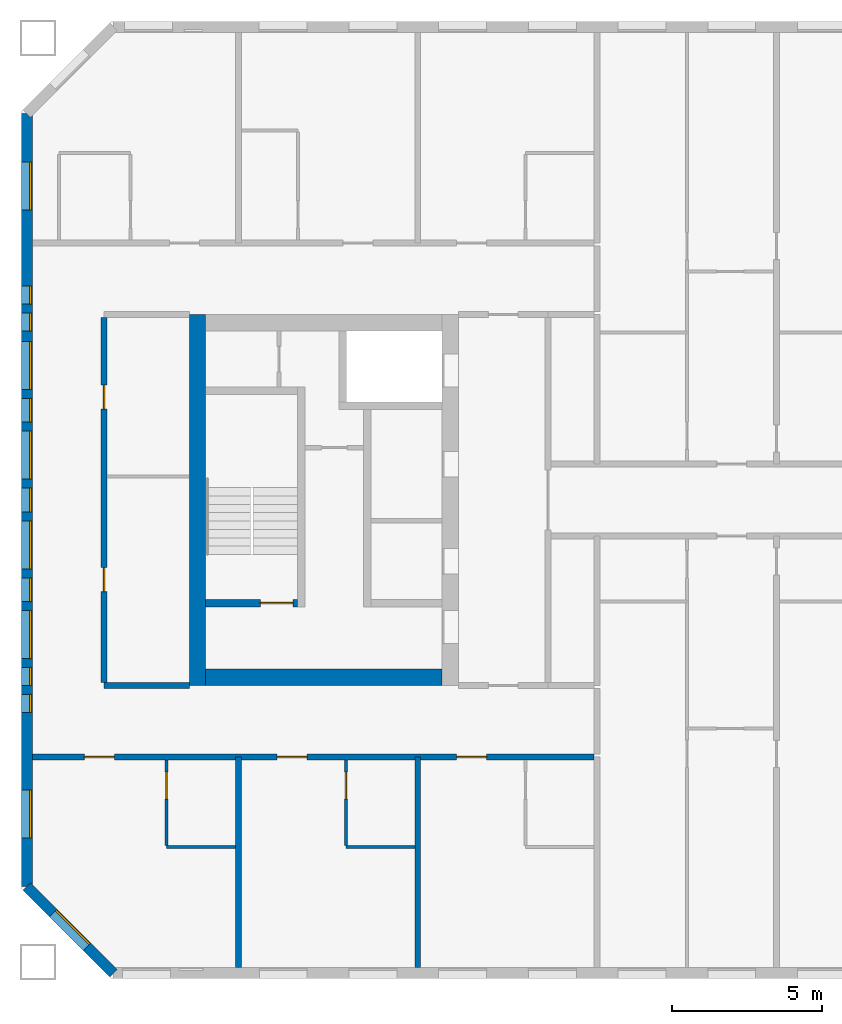
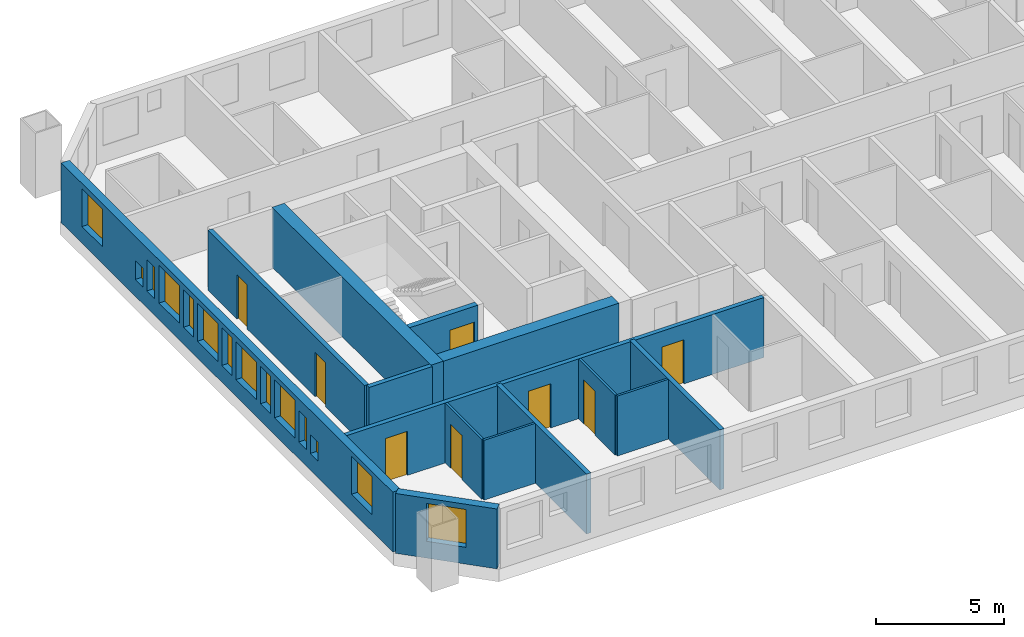
# One storey, part 2 of 17: 14 walls, 14 windows, 8 doors, 22 openings.
"""IFC4 building model written with IfcOpenShell, lengths in metres."""

from ifc_helpers import new_model, si_unit, direction, frame, frame_2d, origin, place, context, subcontext, project, spatial, rectangle, extrude, material, layer, layer_set, type_object, element, fill, save


model = new_model("IFC4")

# Units and contexts
model_context = context("Model", 3, precision=1e-05, world=origin(), true_north=direction((0.0, 1.0)))
body_context = subcontext(model_context, "Body", "Model", "MODEL_VIEW")
ifc_project = project(units=[si_unit("LENGTHUNIT", "METRE"), si_unit("AREAUNIT", "SQUARE_METRE"), si_unit("VOLUMEUNIT", "CUBIC_METRE"), si_unit("PLANEANGLEUNIT", "RADIAN"), si_unit("MASSUNIT", "GRAM", prefix="KILO")], contexts=[model_context])

# Site, building, storey
site_placement = place(None, origin())
site = spatial("IfcSite", under=ifc_project, at=site_placement, CompositionType="ELEMENT")
building_placement = place(site_placement, origin())
building = spatial("IfcBuilding", under=site, at=building_placement, Name="Tuart Gate Housing", CompositionType="ELEMENT")
storey_placement = place(building_placement, frame((0.0, 0.0, 123.699951171875)))
storey = spatial("IfcBuildingStorey", under=building, at=storey_placement, Name="L34", CompositionType="ELEMENT", Elevation=123.699951171875)

# Wall, opening, window
ifc_material_1 = material(Name="Brick", Category="masonry")
ifc_layer_1 = layer(ifc_material_1, 0.360107421875)
ifc_layer_set_1 = layer_set([ifc_layer_1], Name="Brick pier and spandrel wall 360")
wall_type_1 = type_object("IfcWallType", Name="Brick pier and spandrel wall 360", PredefinedType="STANDARD", material=ifc_layer_set_1)
wall_1_placement = place(storey_placement, frame((26.929931640625, 57.07470703125, 0.0), z_axis=(0.0, 0.0, 1.0), x_axis=(0.707106781187, -0.707106781187, 0.0)))
wall_1 = element("IfcWall", 1, at=wall_1_placement, inside=storey, type_object=wall_type_1, Name="External wall A-SW L34", PredefinedType="STANDARD", context=body_context, shape_type="SweptSolid", body=[
    extrude(rectangle(XDim=4.09375, YDim=0.360107421875, at=frame_2d((2.046875, 0.0))), origin(), (0.0, 0.0, 1.0), 2.85009765625),
])
opening_1_placement = place(wall_1_placement, frame((1.2470703125, 0.0, 0.800048828125)))
opening_1 = element("IfcOpeningElement", 2, at=opening_1_placement, cuts=wall_1, Name="Opening W1", PredefinedType="OPENING", context=body_context, shape_type="SweptSolid", body=[
    extrude(rectangle(XDim=1.60009765625, YDim=1.800048828125, at=frame_2d((0.800048828125, 0.89990234375))), frame((0.0, 0.18994140625, 0.0), z_axis=(0.0, -1.0, 0.0), x_axis=(1.0, 0.0, 0.0)), (0.0, 0.0, 1.0), 0.380126953125),
])
ifc_material_2 = material(Name="Aluminium frame with clear glass", Category="aluminium")
window_type_1 = type_object("IfcWindowType", Name="Punched window 1600 x 1800", PartitioningType="SINGLE_PANEL", PredefinedType="WINDOW", material=ifc_material_2)
window_1_placement = place(opening_1_placement, origin())
window_1 = element("IfcWindow", 3, at=window_1_placement, inside=storey, type_object=window_type_1, Name="Window W1", OverallHeight=1.800048828125, OverallWidth=1.60009765625, PartitioningType="SINGLE_PANEL", PredefinedType="WINDOW", context=body_context, shape_type="SweptSolid", body=[
    extrude(rectangle(XDim=1.60009765625, YDim=1.800048828125, at=frame_2d((0.800048828125, 0.89990234375))), frame((0.0, 0.150146484375, 0.0), z_axis=(0.0, -1.0, 0.0), x_axis=(1.0, 0.0, 0.0)), (0.0, 0.0, 1.0), 0.06005859375),
])
fill(opening_1, window_1)

# Wall, openings, windows
wall_2_placement = place(storey_placement, frame((26.929931640625, 82.92529296875, 0.0), z_axis=(0.0, 0.0, 1.0), x_axis=(0.0, -1.0, 0.0)))
wall_2 = element("IfcWall", 4, at=wall_2_placement, inside=storey, type_object=wall_type_1, Name="External wall A-W L34", PredefinedType="STANDARD", context=body_context, shape_type="SweptSolid", body=[
    extrude(rectangle(XDim=25.850830078125, YDim=0.360107421875, at=frame_2d((12.92529296875, 0.0))), origin(), (0.0, 0.0, 1.0), 2.85009765625),
])
opening_2_placement = place(wall_2_placement, frame((1.62548828125, 0.0, 0.800048828125)))
opening_2 = element("IfcOpeningElement", 5, at=opening_2_placement, cuts=wall_2, Name="Opening W1", PredefinedType="OPENING", context=body_context, shape_type="SweptSolid", body=[
    extrude(rectangle(XDim=1.60009765625, YDim=1.800048828125, at=frame_2d((0.800048828125, 0.89990234375))), frame((0.0, 0.18994140625, 0.0), z_axis=(0.0, -1.0, 0.0), x_axis=(1.0, 0.0, 0.0)), (0.0, 0.0, 1.0), 0.380126953125),
])
opening_3_placement = place(wall_2_placement, frame((5.775390625, 0.0, 0.800048828125)))
opening_3 = element("IfcOpeningElement", 6, at=opening_3_placement, cuts=wall_2, Name="Opening W1W", PredefinedType="OPENING", context=body_context, shape_type="SweptSolid", body=[
    extrude(rectangle(XDim=0.60009765625, YDim=0.89990234375, at=frame_2d((0.300048828125, 0.449951171875))), frame((0.0, 0.18994140625, 0.0), z_axis=(0.0, -1.0, 0.0), x_axis=(1.0, 0.0, 0.0)), (0.0, 0.0, 1.0), 0.380126953125),
])
opening_4_placement = place(wall_2_placement, frame((7.62548828125, 0.0, 0.800048828125)))
opening_4 = element("IfcOpeningElement", 7, at=opening_4_placement, cuts=wall_2, Name="Opening W1", PredefinedType="OPENING", context=body_context, shape_type="SweptSolid", body=[
    extrude(rectangle(XDim=1.60009765625, YDim=1.800048828125, at=frame_2d((0.800048828125, 0.89990234375))), frame((0.0, 0.18994140625, 0.0), z_axis=(0.0, -1.0, 0.0), x_axis=(1.0, 0.0, 0.0)), (0.0, 0.0, 1.0), 0.380126953125),
])
opening_5_placement = place(wall_2_placement, frame((10.62548828125, 0.0, 0.800048828125)))
opening_5 = element("IfcOpeningElement", 8, at=opening_5_placement, cuts=wall_2, Name="Opening W1", PredefinedType="OPENING", context=body_context, shape_type="SweptSolid", body=[
    extrude(rectangle(XDim=1.60009765625, YDim=1.800048828125, at=frame_2d((0.800048828125, 0.89990234375))), frame((0.0, 0.18994140625, 0.0), z_axis=(0.0, -1.0, 0.0), x_axis=(1.0, 0.0, 0.0)), (0.0, 0.0, 1.0), 0.380126953125),
])
opening_6_placement = place(wall_2_placement, frame((13.62548828125, 0.0, 0.800048828125)))
opening_6 = element("IfcOpeningElement", 9, at=opening_6_placement, cuts=wall_2, Name="Opening W1", PredefinedType="OPENING", context=body_context, shape_type="SweptSolid", body=[
    extrude(rectangle(XDim=1.60009765625, YDim=1.800048828125, at=frame_2d((0.800048828125, 0.89990234375))), frame((0.0, 0.18994140625, 0.0), z_axis=(0.0, -1.0, 0.0), x_axis=(1.0, 0.0, 0.0)), (0.0, 0.0, 1.0), 0.380126953125),
])
opening_7_placement = place(wall_2_placement, frame((16.62548828125, 0.0, 0.800048828125)))
opening_7 = element("IfcOpeningElement", 10, at=opening_7_placement, cuts=wall_2, Name="Opening W1", PredefinedType="OPENING", context=body_context, shape_type="SweptSolid", body=[
    extrude(rectangle(XDim=1.60009765625, YDim=1.800048828125, at=frame_2d((0.800048828125, 0.89990234375))), frame((0.0, 0.18994140625, 0.0), z_axis=(0.0, -1.0, 0.0), x_axis=(1.0, 0.0, 0.0)), (0.0, 0.0, 1.0), 0.380126953125),
])
opening_8_placement = place(wall_2_placement, frame((6.67529296875, 0.0, 0.800048828125)))
opening_8 = element("IfcOpeningElement", 11, at=opening_8_placement, cuts=wall_2, Name="Opening W1K", PredefinedType="OPENING", context=body_context, shape_type="SweptSolid", body=[
    extrude(rectangle(XDim=0.60009765625, YDim=1.5, at=frame_2d((0.300048828125, 0.75))), frame((0.0, 0.18994140625, 0.0), z_axis=(0.0, -1.0, 0.0), x_axis=(1.0, 0.0, 0.0)), (0.0, 0.0, 1.0), 0.380126953125),
])
opening_9_placement = place(wall_2_placement, frame((22.62548828125, 0.0, 0.800048828125)))
opening_9 = element("IfcOpeningElement", 12, at=opening_9_placement, cuts=wall_2, Name="Opening W1", PredefinedType="OPENING", context=body_context, shape_type="SweptSolid", body=[
    extrude(rectangle(XDim=1.60009765625, YDim=1.800048828125, at=frame_2d((0.800048828125, 0.89990234375))), frame((0.0, 0.18994140625, 0.0), z_axis=(0.0, -1.0, 0.0), x_axis=(1.0, 0.0, 0.0)), (0.0, 0.0, 1.0), 0.380126953125),
])
opening_10_placement = place(wall_2_placement, frame((9.525390625, 0.0, 0.800048828125)))
opening_10 = element("IfcOpeningElement", 13, at=opening_10_placement, cuts=wall_2, Name="Opening W1D", PredefinedType="OPENING", context=body_context, shape_type="SweptSolid", body=[
    extrude(rectangle(XDim=0.800048828125, YDim=1.800048828125, at=frame_2d((0.39990234375, 0.89990234375))), frame((0.0, 0.18994140625, 0.0), z_axis=(0.0, -1.0, 0.0), x_axis=(1.0, 0.0, 0.0)), (0.0, 0.0, 1.0), 0.380126953125),
])
opening_11_placement = place(wall_2_placement, frame((12.525390625, 0.0, 0.800048828125)))
opening_11 = element("IfcOpeningElement", 14, at=opening_11_placement, cuts=wall_2, Name="Opening W1D", PredefinedType="OPENING", context=body_context, shape_type="SweptSolid", body=[
    extrude(rectangle(XDim=0.800048828125, YDim=1.800048828125, at=frame_2d((0.39990234375, 0.89990234375))), frame((0.0, 0.18994140625, 0.0), z_axis=(0.0, -1.0, 0.0), x_axis=(1.0, 0.0, 0.0)), (0.0, 0.0, 1.0), 0.380126953125),
])
opening_12_placement = place(wall_2_placement, frame((15.525390625, 0.0, 0.800048828125)))
opening_12 = element("IfcOpeningElement", 15, at=opening_12_placement, cuts=wall_2, Name="Opening W1D", PredefinedType="OPENING", context=body_context, shape_type="SweptSolid", body=[
    extrude(rectangle(XDim=0.800048828125, YDim=1.800048828125, at=frame_2d((0.39990234375, 0.89990234375))), frame((0.0, 0.18994140625, 0.0), z_axis=(0.0, -1.0, 0.0), x_axis=(1.0, 0.0, 0.0)), (0.0, 0.0, 1.0), 0.380126953125),
])
opening_13_placement = place(wall_2_placement, frame((18.525390625, 0.0, 0.800048828125)))
opening_13 = element("IfcOpeningElement", 16, at=opening_13_placement, cuts=wall_2, Name="Opening W1K", PredefinedType="OPENING", context=body_context, shape_type="SweptSolid", body=[
    extrude(rectangle(XDim=0.60009765625, YDim=1.5, at=frame_2d((0.300048828125, 0.75))), frame((0.0, 0.18994140625, 0.0), z_axis=(0.0, -1.0, 0.0), x_axis=(1.0, 0.0, 0.0)), (0.0, 0.0, 1.0), 0.380126953125),
])
opening_14_placement = place(wall_2_placement, frame((19.42529296875, 0.0, 0.800048828125)))
opening_14 = element("IfcOpeningElement", 17, at=opening_14_placement, cuts=wall_2, Name="Opening W1W", PredefinedType="OPENING", context=body_context, shape_type="SweptSolid", body=[
    extrude(rectangle(XDim=0.60009765625, YDim=0.89990234375, at=frame_2d((0.300048828125, 0.449951171875))), frame((0.0, 0.18994140625, 0.0), z_axis=(0.0, -1.0, 0.0), x_axis=(1.0, 0.0, 0.0)), (0.0, 0.0, 1.0), 0.380126953125),
])
window_2_placement = place(opening_2_placement, origin())
window_2 = element("IfcWindow", 18, at=window_2_placement, inside=storey, type_object=window_type_1, Name="Window W1", OverallHeight=1.800048828125, OverallWidth=1.60009765625, PartitioningType="SINGLE_PANEL", PredefinedType="WINDOW", context=body_context, shape_type="SweptSolid", body=[
    extrude(rectangle(XDim=1.60009765625, YDim=1.800048828125, at=frame_2d((0.800048828125, 0.89990234375))), frame((0.0, 0.150146484375, 0.0), z_axis=(0.0, -1.0, 0.0), x_axis=(1.0, 0.0, 0.0)), (0.0, 0.0, 1.0), 0.06005859375),
])
fill(opening_2, window_2)
window_3_placement = place(opening_4_placement, origin())
window_3 = element("IfcWindow", 19, at=window_3_placement, inside=storey, type_object=window_type_1, Name="Window W1", OverallHeight=1.800048828125, OverallWidth=1.60009765625, PartitioningType="SINGLE_PANEL", PredefinedType="WINDOW", context=body_context, shape_type="SweptSolid", body=[
    extrude(rectangle(XDim=1.60009765625, YDim=1.800048828125, at=frame_2d((0.800048828125, 0.89990234375))), frame((0.0, 0.150146484375, 0.0), z_axis=(0.0, -1.0, 0.0), x_axis=(1.0, 0.0, 0.0)), (0.0, 0.0, 1.0), 0.06005859375),
])
fill(opening_4, window_3)
window_4_placement = place(opening_5_placement, origin())
window_4 = element("IfcWindow", 20, at=window_4_placement, inside=storey, type_object=window_type_1, Name="Window W1", OverallHeight=1.800048828125, OverallWidth=1.60009765625, PartitioningType="SINGLE_PANEL", PredefinedType="WINDOW", context=body_context, shape_type="SweptSolid", body=[
    extrude(rectangle(XDim=1.60009765625, YDim=1.800048828125, at=frame_2d((0.800048828125, 0.89990234375))), frame((0.0, 0.150146484375, 0.0), z_axis=(0.0, -1.0, 0.0), x_axis=(1.0, 0.0, 0.0)), (0.0, 0.0, 1.0), 0.06005859375),
])
fill(opening_5, window_4)
window_5_placement = place(opening_6_placement, origin())
window_5 = element("IfcWindow", 21, at=window_5_placement, inside=storey, type_object=window_type_1, Name="Window W1", OverallHeight=1.800048828125, OverallWidth=1.60009765625, PartitioningType="SINGLE_PANEL", PredefinedType="WINDOW", context=body_context, shape_type="SweptSolid", body=[
    extrude(rectangle(XDim=1.60009765625, YDim=1.800048828125, at=frame_2d((0.800048828125, 0.89990234375))), frame((0.0, 0.150146484375, 0.0), z_axis=(0.0, -1.0, 0.0), x_axis=(1.0, 0.0, 0.0)), (0.0, 0.0, 1.0), 0.06005859375),
])
fill(opening_6, window_5)
window_6_placement = place(opening_7_placement, origin())
window_6 = element("IfcWindow", 22, at=window_6_placement, inside=storey, type_object=window_type_1, Name="Window W1", OverallHeight=1.800048828125, OverallWidth=1.60009765625, PartitioningType="SINGLE_PANEL", PredefinedType="WINDOW", context=body_context, shape_type="SweptSolid", body=[
    extrude(rectangle(XDim=1.60009765625, YDim=1.800048828125, at=frame_2d((0.800048828125, 0.89990234375))), frame((0.0, 0.150146484375, 0.0), z_axis=(0.0, -1.0, 0.0), x_axis=(1.0, 0.0, 0.0)), (0.0, 0.0, 1.0), 0.06005859375),
])
fill(opening_7, window_6)
window_7_placement = place(opening_9_placement, origin())
window_7 = element("IfcWindow", 23, at=window_7_placement, inside=storey, type_object=window_type_1, Name="Window W1", OverallHeight=1.800048828125, OverallWidth=1.60009765625, PartitioningType="SINGLE_PANEL", PredefinedType="WINDOW", context=body_context, shape_type="SweptSolid", body=[
    extrude(rectangle(XDim=1.60009765625, YDim=1.800048828125, at=frame_2d((0.800048828125, 0.89990234375))), frame((0.0, 0.150146484375, 0.0), z_axis=(0.0, -1.0, 0.0), x_axis=(1.0, 0.0, 0.0)), (0.0, 0.0, 1.0), 0.06005859375),
])
fill(opening_9, window_7)
ifc_material_3 = material(Name="Aluminium frame with clear glass", Category="aluminium")
window_type_2 = type_object("IfcWindowType", Name="Punched window 600 x 1500", PartitioningType="SINGLE_PANEL", PredefinedType="WINDOW", material=ifc_material_3)
window_8_placement = place(opening_8_placement, origin())
window_8 = element("IfcWindow", 24, at=window_8_placement, inside=storey, type_object=window_type_2, Name="Window W1K", OverallHeight=1.5, OverallWidth=0.60009765625, PartitioningType="SINGLE_PANEL", PredefinedType="WINDOW", context=body_context, shape_type="SweptSolid", body=[
    extrude(rectangle(XDim=0.60009765625, YDim=1.5, at=frame_2d((0.300048828125, 0.75))), frame((0.0, 0.150146484375, 0.0), z_axis=(0.0, -1.0, 0.0), x_axis=(1.0, 0.0, 0.0)), (0.0, 0.0, 1.0), 0.06005859375),
])
fill(opening_8, window_8)
window_9_placement = place(opening_13_placement, origin())
window_9 = element("IfcWindow", 25, at=window_9_placement, inside=storey, type_object=window_type_2, Name="Window W1K", OverallHeight=1.5, OverallWidth=0.60009765625, PartitioningType="SINGLE_PANEL", PredefinedType="WINDOW", context=body_context, shape_type="SweptSolid", body=[
    extrude(rectangle(XDim=0.60009765625, YDim=1.5, at=frame_2d((0.300048828125, 0.75))), frame((0.0, 0.150146484375, 0.0), z_axis=(0.0, -1.0, 0.0), x_axis=(1.0, 0.0, 0.0)), (0.0, 0.0, 1.0), 0.06005859375),
])
fill(opening_13, window_9)
ifc_material_4 = material(Name="Aluminium frame with clear glass", Category="aluminium")
window_type_3 = type_object("IfcWindowType", Name="Punched window 600 x 900", PartitioningType="SINGLE_PANEL", PredefinedType="WINDOW", material=ifc_material_4)
window_10_placement = place(opening_3_placement, origin())
window_10 = element("IfcWindow", 26, at=window_10_placement, inside=storey, type_object=window_type_3, Name="Window W1W", OverallHeight=0.89990234375, OverallWidth=0.60009765625, PartitioningType="SINGLE_PANEL", PredefinedType="WINDOW", context=body_context, shape_type="SweptSolid", body=[
    extrude(rectangle(XDim=0.60009765625, YDim=0.89990234375, at=frame_2d((0.300048828125, 0.449951171875))), frame((0.0, 0.150146484375, 0.0), z_axis=(0.0, -1.0, 0.0), x_axis=(1.0, 0.0, 0.0)), (0.0, 0.0, 1.0), 0.06005859375),
])
fill(opening_3, window_10)
window_11_placement = place(opening_14_placement, origin())
window_11 = element("IfcWindow", 27, at=window_11_placement, inside=storey, type_object=window_type_3, Name="Window W1W", OverallHeight=0.89990234375, OverallWidth=0.60009765625, PartitioningType="SINGLE_PANEL", PredefinedType="WINDOW", context=body_context, shape_type="SweptSolid", body=[
    extrude(rectangle(XDim=0.60009765625, YDim=0.89990234375, at=frame_2d((0.300048828125, 0.449951171875))), frame((0.0, 0.150146484375, 0.0), z_axis=(0.0, -1.0, 0.0), x_axis=(1.0, 0.0, 0.0)), (0.0, 0.0, 1.0), 0.06005859375),
])
fill(opening_14, window_11)
ifc_material_5 = material(Name="Aluminium frame with clear glass", Category="aluminium")
window_type_4 = type_object("IfcWindowType", Name="Punched window 800 x 1800", PartitioningType="SINGLE_PANEL", PredefinedType="WINDOW", material=ifc_material_5)
window_12_placement = place(opening_10_placement, origin())
window_12 = element("IfcWindow", 28, at=window_12_placement, inside=storey, type_object=window_type_4, Name="Window W1D", OverallHeight=1.800048828125, OverallWidth=0.800048828125, PartitioningType="SINGLE_PANEL", PredefinedType="WINDOW", context=body_context, shape_type="SweptSolid", body=[
    extrude(rectangle(XDim=0.800048828125, YDim=1.800048828125, at=frame_2d((0.39990234375, 0.89990234375))), frame((0.0, 0.150146484375, 0.0), z_axis=(0.0, -1.0, 0.0), x_axis=(1.0, 0.0, 0.0)), (0.0, 0.0, 1.0), 0.06005859375),
])
fill(opening_10, window_12)
window_13_placement = place(opening_11_placement, origin())
window_13 = element("IfcWindow", 29, at=window_13_placement, inside=storey, type_object=window_type_4, Name="Window W1D", OverallHeight=1.800048828125, OverallWidth=0.800048828125, PartitioningType="SINGLE_PANEL", PredefinedType="WINDOW", context=body_context, shape_type="SweptSolid", body=[
    extrude(rectangle(XDim=0.800048828125, YDim=1.800048828125, at=frame_2d((0.39990234375, 0.89990234375))), frame((0.0, 0.150146484375, 0.0), z_axis=(0.0, -1.0, 0.0), x_axis=(1.0, 0.0, 0.0)), (0.0, 0.0, 1.0), 0.06005859375),
])
fill(opening_11, window_13)
window_14_placement = place(opening_12_placement, origin())
window_14 = element("IfcWindow", 30, at=window_14_placement, inside=storey, type_object=window_type_4, Name="Window W1D", OverallHeight=1.800048828125, OverallWidth=0.800048828125, PartitioningType="SINGLE_PANEL", PredefinedType="WINDOW", context=body_context, shape_type="SweptSolid", body=[
    extrude(rectangle(XDim=0.800048828125, YDim=1.800048828125, at=frame_2d((0.39990234375, 0.89990234375))), frame((0.0, 0.150146484375, 0.0), z_axis=(0.0, -1.0, 0.0), x_axis=(1.0, 0.0, 0.0)), (0.0, 0.0, 1.0), 0.06005859375),
])
fill(opening_12, window_14)

# Wall, opening, door
ifc_material_6 = material(Name="Concrete C50", Category="concrete")
ifc_layer_2 = layer(ifc_material_6, 0.25)
ifc_layer_set_2 = layer_set([ifc_layer_2], Name="Core wall 250 C50")
wall_type_2 = type_object("IfcWallType", Name="Core wall 250 C50", PredefinedType="SHEAR", material=ifc_layer_set_2)
wall_3_placement = place(storey_placement, frame((35.985107421875, 66.550048828125, 0.0), z_axis=(0.0, 0.0, 1.0), x_axis=(-1.0, 0.0, 0.0)))
wall_3 = element("IfcWall", 31, at=wall_3_placement, inside=storey, type_object=wall_type_2, Name="Core wall AK.6", PredefinedType="SHEAR", context=body_context, shape_type="SweptSolid", body=[
    extrude(rectangle(XDim=3.0751953125, YDim=0.25, at=frame_2d((1.53759765625, 0.0))), origin(), (0.0, 0.0, 1.0), 2.85009765625),
])
opening_15_placement = place(wall_3_placement, frame((0.14990234375, 0.0, 0.0)))
opening_15 = element("IfcOpeningElement", 32, at=opening_15_placement, cuts=wall_3, Name="Opening D1328", PredefinedType="OPENING", context=body_context, shape_type="SweptSolid", body=[
    extrude(rectangle(XDim=1.10009765625, YDim=2.10009765625, at=frame_2d((0.550048828125, 1.050048828125))), frame((0.0, 0.135009765625, 0.0), z_axis=(0.0, -1.0, 0.0), x_axis=(1.0, 0.0, 0.0)), (0.0, 0.0, 1.0), 0.27001953125),
])
ifc_material_7 = material(Name="Steel fire door", Category="steel")
door_type_1 = type_object("IfcDoorType", Name="Stair door 1100 x 2100 RH", OperationType="SINGLE_SWING_RIGHT", PredefinedType="DOOR", material=ifc_material_7)
door_1_placement = place(opening_15_placement, frame((1.10009765625, 0.0, 0.0), z_axis=(0.0, 0.0, 1.0), x_axis=(-1.0, 0.0, 0.0)))
door_1 = element("IfcDoor", 33, at=door_1_placement, inside=storey, type_object=door_type_1, Name="Stair door AK.SD", OperationType="SINGLE_SWING_RIGHT", OverallHeight=2.10009765625, OverallWidth=1.10009765625, PredefinedType="DOOR", context=body_context, shape_type="SweptSolid", body=[
    extrude(rectangle(XDim=1.10009765625, YDim=2.10009765625, at=frame_2d((0.550048828125, 1.050048828125))), frame((0.0, 0.025146484375, 0.0), z_axis=(0.0, -1.0, 0.0), x_axis=(1.0, 0.0, 0.0)), (0.0, 0.0, 1.0), 0.050048828125),
])
fill(opening_15, door_1)

# Walls
ifc_material_8 = material(Name="Concrete C50", Category="concrete")
ifc_layer_3 = layer(ifc_material_8, 0.550048828125)
ifc_layer_set_3 = layer_set([ifc_layer_3], Name="Core wall 550 C50")
wall_type_3 = type_object("IfcWallType", Name="Core wall 550 C50", PredefinedType="SHEAR", material=ifc_layer_set_3)
wall_4_placement = place(storey_placement, frame((32.635009765625, 76.199951171875, 0.0), z_axis=(0.0, 0.0, 1.0), x_axis=(0.0, -1.0, 0.0)))
element("IfcWall", 34, at=wall_4_placement, inside=storey, type_object=wall_type_3, Name="Core wall AK back", PredefinedType="SHEAR", context=body_context, shape_type="SweptSolid", body=[
    extrude(rectangle(XDim=12.39990234375, YDim=0.550048828125, at=frame_2d((6.199951171875, 0.0))), origin(), (0.0, 0.0, 1.0), 2.85009765625),
])
wall_5_placement = place(storey_placement, frame((40.81005859375, 64.074951171875, 0.0), z_axis=(0.0, 0.0, 1.0), x_axis=(-1.0, 0.0, 0.0)))
element("IfcWall", 35, at=wall_5_placement, inside=storey, type_object=wall_type_3, Name="Core wall AK north", PredefinedType="SHEAR", context=body_context, shape_type="SweptSolid", body=[
    extrude(rectangle(XDim=7.900146484375, YDim=0.550048828125, at=frame_2d((3.9501953125, 0.0))), origin(), (0.0, 0.0, 1.0), 2.85009765625),
])

# Wall, openings, doors
ifc_material_9 = material(Name="Concrete masonry 15 MPa", Category="masonry")
ifc_layer_4 = layer(ifc_material_9, 0.199951171875)
ifc_layer_set_4 = layer_set([ifc_layer_4], Name="Corridor wall masonry 200")
wall_type_4 = type_object("IfcWallType", Name="Corridor wall masonry 200", PredefinedType="PARTITIONING", material=ifc_layer_set_4)
wall_6_placement = place(storey_placement, frame((27.110107421875, 61.39990234375, 0.0), z_axis=(0.0, 0.0, 1.0), x_axis=(1.0, 0.0, 0.0)))
wall_6 = element("IfcWall", 36, at=wall_6_placement, inside=storey, type_object=wall_type_4, Name="Corridor wall masonry 200", PredefinedType="PARTITIONING", context=body_context, shape_type="SweptSolid", body=[
    extrude(rectangle(XDim=18.789794921875, YDim=0.199951171875, at=frame_2d((9.39501953125, 0.0))), origin(), (0.0, 0.0, 1.0), 2.85009765625),
])
opening_16_placement = place(wall_6_placement, frame((14.18994140625, 0.0, 0.0)))
opening_16 = element("IfcOpeningElement", 37, at=opening_16_placement, cuts=wall_6, Name="Opening D1340", PredefinedType="OPENING", context=body_context, shape_type="SweptSolid", body=[
    extrude(rectangle(XDim=1.0, YDim=2.10009765625, at=frame_2d((0.5, 1.050048828125))), frame((0.0, 0.10986328125, 0.0), z_axis=(0.0, -1.0, 0.0), x_axis=(1.0, 0.0, 0.0)), (0.0, 0.0, 1.0), 0.219970703125),
])
opening_17_placement = place(wall_6_placement, frame((8.18994140625, 0.0, 0.0)))
opening_17 = element("IfcOpeningElement", 38, at=opening_17_placement, cuts=wall_6, Name="Opening D1341", PredefinedType="OPENING", context=body_context, shape_type="SweptSolid", body=[
    extrude(rectangle(XDim=1.0, YDim=2.10009765625, at=frame_2d((0.5, 1.050048828125))), frame((0.0, 0.10986328125, 0.0), z_axis=(0.0, -1.0, 0.0), x_axis=(1.0, 0.0, 0.0)), (0.0, 0.0, 1.0), 0.219970703125),
])
opening_18_placement = place(wall_6_placement, frame((1.7451171875, 0.0, 0.0)))
opening_18 = element("IfcOpeningElement", 39, at=opening_18_placement, cuts=wall_6, Name="Opening D1342", PredefinedType="OPENING", context=body_context, shape_type="SweptSolid", body=[
    extrude(rectangle(XDim=1.0, YDim=2.10009765625, at=frame_2d((0.5, 1.050048828125))), frame((0.0, 0.10986328125, 0.0), z_axis=(0.0, -1.0, 0.0), x_axis=(1.0, 0.0, 0.0)), (0.0, 0.0, 1.0), 0.219970703125),
])
ifc_material_10 = material(Name="Timber door leaf in steel frame", Category="steel")
door_type_2 = type_object("IfcDoorType", Name="Flat entrance door 1000 RH", OperationType="SINGLE_SWING_RIGHT", PredefinedType="DOOR", material=ifc_material_10)
door_2_placement = place(opening_16_placement, frame((1.0, 0.0, 0.0), z_axis=(0.0, 0.0, 1.0), x_axis=(-1.0, 0.0, 0.0)))
door_2 = element("IfcDoor", 40, at=door_2_placement, inside=storey, type_object=door_type_2, Name="Flat entrance door", OperationType="SINGLE_SWING_RIGHT", OverallHeight=2.10009765625, OverallWidth=1.0, PredefinedType="DOOR", context=body_context, shape_type="SweptSolid", body=[
    extrude(rectangle(XDim=1.0, YDim=2.10009765625, at=frame_2d((0.5, 1.050048828125))), frame((0.0, 0.025146484375, 0.0), z_axis=(0.0, -1.0, 0.0), x_axis=(1.0, 0.0, 0.0)), (0.0, 0.0, 1.0), 0.050048828125),
])
fill(opening_16, door_2)
door_3_placement = place(opening_17_placement, frame((1.0, 0.0, 0.0), z_axis=(0.0, 0.0, 1.0), x_axis=(-1.0, 0.0, 0.0)))
door_3 = element("IfcDoor", 41, at=door_3_placement, inside=storey, type_object=door_type_2, Name="Flat entrance door", OperationType="SINGLE_SWING_RIGHT", OverallHeight=2.10009765625, OverallWidth=1.0, PredefinedType="DOOR", context=body_context, shape_type="SweptSolid", body=[
    extrude(rectangle(XDim=1.0, YDim=2.10009765625, at=frame_2d((0.5, 1.050048828125))), frame((0.0, 0.025146484375, 0.0), z_axis=(0.0, -1.0, 0.0), x_axis=(1.0, 0.0, 0.0)), (0.0, 0.0, 1.0), 0.050048828125),
])
fill(opening_17, door_3)
door_4_placement = place(opening_18_placement, frame((1.0, 0.0, 0.0), z_axis=(0.0, 0.0, 1.0), x_axis=(-1.0, 0.0, 0.0)))
door_4 = element("IfcDoor", 42, at=door_4_placement, inside=storey, type_object=door_type_2, Name="Flat entrance door", OperationType="SINGLE_SWING_RIGHT", OverallHeight=2.10009765625, OverallWidth=1.0, PredefinedType="DOOR", context=body_context, shape_type="SweptSolid", body=[
    extrude(rectangle(XDim=1.0, YDim=2.10009765625, at=frame_2d((0.5, 1.050048828125))), frame((0.0, 0.025146484375, 0.0), z_axis=(0.0, -1.0, 0.0), x_axis=(1.0, 0.0, 0.0)), (0.0, 0.0, 1.0), 0.050048828125),
])
fill(opening_18, door_4)

# Wall
wall_7_placement = place(storey_placement, frame((29.510009765625, 63.800048828125, 0.0), z_axis=(0.0, 0.0, 1.0), x_axis=(1.0, 0.0, 0.0)))
element("IfcWall", 43, at=wall_7_placement, inside=storey, type_object=wall_type_4, Name="Corridor wall masonry 200", PredefinedType="PARTITIONING", context=body_context, shape_type="SweptSolid", body=[
    extrude(rectangle(XDim=2.85009765625, YDim=0.199951171875, at=frame_2d((1.425048828125, 0.0))), origin(), (0.0, 0.0, 1.0), 2.85009765625),
])

# Wall, openings, doors
wall_8_placement = place(storey_placement, frame((29.510009765625, 63.89990234375, 0.0), z_axis=(0.0, 0.0, 1.0), x_axis=(0.0, 1.0, 0.0)))
wall_8 = element("IfcWall", 44, at=wall_8_placement, inside=storey, type_object=wall_type_4, Name="Corridor wall masonry 200", PredefinedType="PARTITIONING", context=body_context, shape_type="SweptSolid", body=[
    extrude(rectangle(XDim=12.2001953125, YDim=0.199951171875, at=frame_2d((6.10009765625, 0.0))), origin(), (0.0, 0.0, 1.0), 2.85009765625),
])
opening_19_placement = place(wall_8_placement, frame((3.0400390625, 0.0, 0.0)))
opening_19 = element("IfcOpeningElement", 45, at=opening_19_placement, cuts=wall_8, Name="Opening D1317", PredefinedType="OPENING", context=body_context, shape_type="SweptSolid", body=[
    extrude(rectangle(XDim=0.800048828125, YDim=2.10009765625, at=frame_2d((0.39990234375, 1.050048828125))), frame((0.0, 0.10986328125, 0.0), z_axis=(0.0, -1.0, 0.0), x_axis=(1.0, 0.0, 0.0)), (0.0, 0.0, 1.0), 0.219970703125),
])
opening_20_placement = place(wall_8_placement, frame((9.139892578125, 0.0, 0.0)))
opening_20 = element("IfcOpeningElement", 46, at=opening_20_placement, cuts=wall_8, Name="Opening D1318", PredefinedType="OPENING", context=body_context, shape_type="SweptSolid", body=[
    extrude(rectangle(XDim=0.800048828125, YDim=2.10009765625, at=frame_2d((0.39990234375, 1.050048828125))), frame((0.0, 0.10986328125, 0.0), z_axis=(0.0, -1.0, 0.0), x_axis=(1.0, 0.0, 0.0)), (0.0, 0.0, 1.0), 0.219970703125),
])
ifc_material_11 = material(Name="Timber door leaf in steel frame", Category="steel")
door_type_3 = type_object("IfcDoorType", Name="Store door 800", OperationType="SINGLE_SWING_LEFT", PredefinedType="DOOR", material=ifc_material_11)
door_5_placement = place(opening_19_placement, frame((0.800048828125, 0.0, 0.0), z_axis=(0.0, 0.0, 1.0), x_axis=(-1.0, 0.0, 0.0)))
door_5 = element("IfcDoor", 47, at=door_5_placement, inside=storey, type_object=door_type_3, Name="Store door", OperationType="SINGLE_SWING_LEFT", OverallHeight=2.10009765625, OverallWidth=0.800048828125, PredefinedType="DOOR", context=body_context, shape_type="SweptSolid", body=[
    extrude(rectangle(XDim=0.800048828125, YDim=2.10009765625, at=frame_2d((0.400146484375, 1.050048828125))), frame((0.0, 0.025146484375, 0.0), z_axis=(0.0, -1.0, 0.0), x_axis=(1.0, 0.0, 0.0)), (0.0, 0.0, 1.0), 0.050048828125),
])
fill(opening_19, door_5)
ifc_material_12 = material(Name="Timber door leaf in steel frame", Category="steel")
door_type_4 = type_object("IfcDoorType", Name="Store door 800 RH", OperationType="SINGLE_SWING_RIGHT", PredefinedType="DOOR", material=ifc_material_12)
door_6_placement = place(opening_20_placement, frame((0.800048828125, 0.0, 0.0), z_axis=(0.0, 0.0, 1.0), x_axis=(-1.0, 0.0, 0.0)))
door_6 = element("IfcDoor", 48, at=door_6_placement, inside=storey, type_object=door_type_4, Name="Store door", OperationType="SINGLE_SWING_RIGHT", OverallHeight=2.10009765625, OverallWidth=0.800048828125, PredefinedType="DOOR", context=body_context, shape_type="SweptSolid", body=[
    extrude(rectangle(XDim=0.800048828125, YDim=2.10009765625, at=frame_2d((0.400146484375, 1.050048828125))), frame((0.0, 0.025146484375, 0.0), z_axis=(0.0, -1.0, 0.0), x_axis=(1.0, 0.0, 0.0)), (0.0, 0.0, 1.0), 0.050048828125),
])
fill(opening_20, door_6)

# Walls
ifc_material_13 = material(Name="Gypsum board on steel studs", Category="steel")
ifc_layer_5 = layer(ifc_material_13, 0.10009765625)
ifc_layer_set_5 = layer_set([ifc_layer_5], Name="Partition 100")
wall_type_5 = type_object("IfcWallType", Name="Partition 100", PredefinedType="PARTITIONING", material=ifc_layer_set_5)
for number, where, z_axis, x_axis, name in (
    (49, (31.60009765625, 58.39990234375, 0.0), (0.0, 0.0, 1.0), (1.0, 0.0, 0.0), "Partition 100"),
    (50, (37.60009765625, 58.39990234375, 0.0), (0.0, 0.0, 1.0), (1.0, 0.0, 0.0), "Partition 100"),
):
    element("IfcWall", number, at=place(storey_placement, frame(where, z_axis=z_axis, x_axis=x_axis)), inside=storey, type_object=wall_type_5, Name=name, PredefinedType="PARTITIONING", context=body_context, shape_type="SweptSolid", body=[
        extrude(rectangle(XDim=2.2998046875, YDim=0.10009765625, at=frame_2d((1.14990234375, 0.0))), origin(), (0.0, 0.0, 1.0), 2.85009765625),
    ])

# Wall, opening, door
wall_9_placement = place(storey_placement, frame((31.60009765625, 58.449951171875, 0.0), z_axis=(0.0, 0.0, 1.0), x_axis=(0.0, 1.0, 0.0)))
wall_9 = element("IfcWall", 51, at=wall_9_placement, inside=storey, type_object=wall_type_5, Name="Partition 100", PredefinedType="PARTITIONING", context=body_context, shape_type="SweptSolid", body=[
    extrude(rectangle(XDim=2.85009765625, YDim=0.10009765625, at=frame_2d((1.425048828125, 0.0))), origin(), (0.0, 0.0, 1.0), 2.85009765625),
])
opening_21_placement = place(wall_9_placement, frame((1.550048828125, 0.0, 0.0)))
opening_21 = element("IfcOpeningElement", 52, at=opening_21_placement, cuts=wall_9, Name="Opening D1345", PredefinedType="OPENING", context=body_context, shape_type="SweptSolid", body=[
    extrude(rectangle(XDim=0.89990234375, YDim=2.10009765625, at=frame_2d((0.449951171875, 1.050048828125))), frame((0.0, 0.06005859375, 0.0), z_axis=(0.0, -1.0, 0.0), x_axis=(1.0, 0.0, 0.0)), (0.0, 0.0, 1.0), 0.1201171875),
])
ifc_material_14 = material(Name="Timber door leaf in steel frame", Category="steel")
door_type_5 = type_object("IfcDoorType", Name="Bathroom door 900", OperationType="SINGLE_SWING_LEFT", PredefinedType="DOOR", material=ifc_material_14)
door_7_placement = place(opening_21_placement, frame((0.89990234375, 0.0, 0.0), z_axis=(0.0, 0.0, 1.0), x_axis=(-1.0, 0.0, 0.0)))
door_7 = element("IfcDoor", 53, at=door_7_placement, inside=storey, type_object=door_type_5, Name="Bathroom door", OperationType="SINGLE_SWING_LEFT", OverallHeight=2.10009765625, OverallWidth=0.89990234375, PredefinedType="DOOR", context=body_context, shape_type="SweptSolid", body=[
    extrude(rectangle(XDim=0.89990234375, YDim=2.10009765625, at=frame_2d((0.449951171875, 1.050048828125))), frame((0.0, 0.025146484375, 0.0), z_axis=(0.0, -1.0, 0.0), x_axis=(1.0, 0.0, 0.0)), (0.0, 0.0, 1.0), 0.050048828125),
])
fill(opening_21, door_7)

wall_10_placement = place(storey_placement, frame((37.60009765625, 58.449951171875, 0.0), z_axis=(0.0, 0.0, 1.0), x_axis=(0.0, 1.0, 0.0)))
wall_10 = element("IfcWall", 54, at=wall_10_placement, inside=storey, type_object=wall_type_5, Name="Partition 100", PredefinedType="PARTITIONING", context=body_context, shape_type="SweptSolid", body=[
    extrude(rectangle(XDim=2.85009765625, YDim=0.10009765625, at=frame_2d((1.425048828125, 0.0))), origin(), (0.0, 0.0, 1.0), 2.85009765625),
])
opening_22_placement = place(wall_10_placement, frame((1.550048828125, 0.0, 0.0)))
opening_22 = element("IfcOpeningElement", 55, at=opening_22_placement, cuts=wall_10, Name="Opening D1346", PredefinedType="OPENING", context=body_context, shape_type="SweptSolid", body=[
    extrude(rectangle(XDim=0.89990234375, YDim=2.10009765625, at=frame_2d((0.449951171875, 1.050048828125))), frame((0.0, 0.06005859375, 0.0), z_axis=(0.0, -1.0, 0.0), x_axis=(1.0, 0.0, 0.0)), (0.0, 0.0, 1.0), 0.1201171875),
])
door_8_placement = place(opening_22_placement, frame((0.89990234375, 0.0, 0.0), z_axis=(0.0, 0.0, 1.0), x_axis=(-1.0, 0.0, 0.0)))
door_8 = element("IfcDoor", 56, at=door_8_placement, inside=storey, type_object=door_type_5, Name="Bathroom door", OperationType="SINGLE_SWING_LEFT", OverallHeight=2.10009765625, OverallWidth=0.89990234375, PredefinedType="DOOR", context=body_context, shape_type="SweptSolid", body=[
    extrude(rectangle(XDim=0.89990234375, YDim=2.10009765625, at=frame_2d((0.449951171875, 1.050048828125))), frame((0.0, 0.025146484375, 0.0), z_axis=(0.0, -1.0, 0.0), x_axis=(1.0, 0.0, 0.0)), (0.0, 0.0, 1.0), 0.050048828125),
])
fill(opening_22, door_8)

# Walls
ifc_material_15 = material(Name="Concrete C40", Category="concrete")
ifc_layer_6 = layer(ifc_material_15, 0.199951171875)
ifc_layer_set_6 = layer_set([ifc_layer_6], Name="Party wall concrete C40 200")
wall_type_6 = type_object("IfcWallType", Name="Party wall concrete C40 200", PredefinedType="SOLIDWALL", material=ifc_layer_set_6)
for number, where, z_axis, x_axis, name in (
    (57, (34.0, 54.360107421875, 0.0), (0.0, 0.0, 1.0), (0.0, 1.0, 0.0), "Party wall concrete C40 200"),
    (58, (40.0, 54.360107421875, 0.0), (0.0, 0.0, 1.0), (0.0, 1.0, 0.0), "Party wall concrete C40 200"),
):
    element("IfcWall", number, at=place(storey_placement, frame(where, z_axis=z_axis, x_axis=x_axis)), inside=storey, type_object=wall_type_6, Name=name, PredefinedType="SOLIDWALL", context=body_context, shape_type="SweptSolid", body=[
        extrude(rectangle(XDim=7.039794921875, YDim=0.199951171875, at=frame_2d((3.52001953125, 0.0))), origin(), (0.0, 0.0, 1.0), 2.85009765625),
    ])

save(model, "model.ifc")
